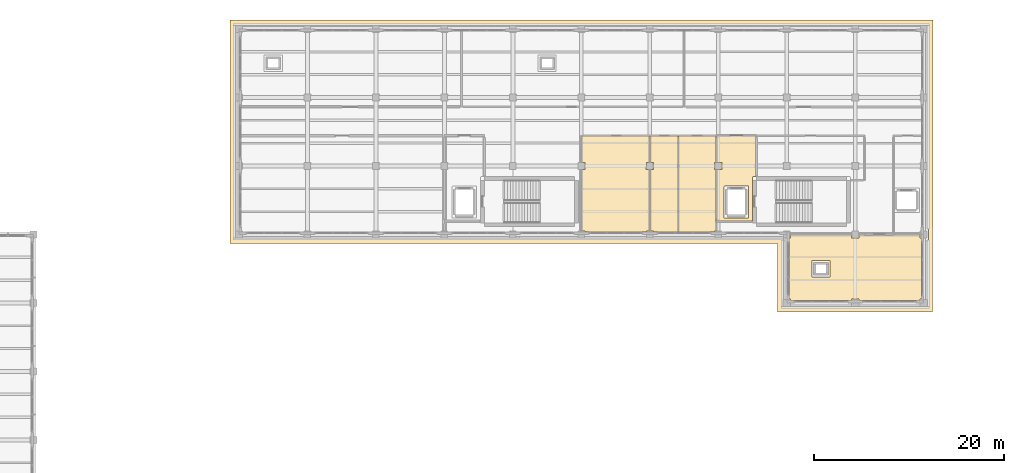
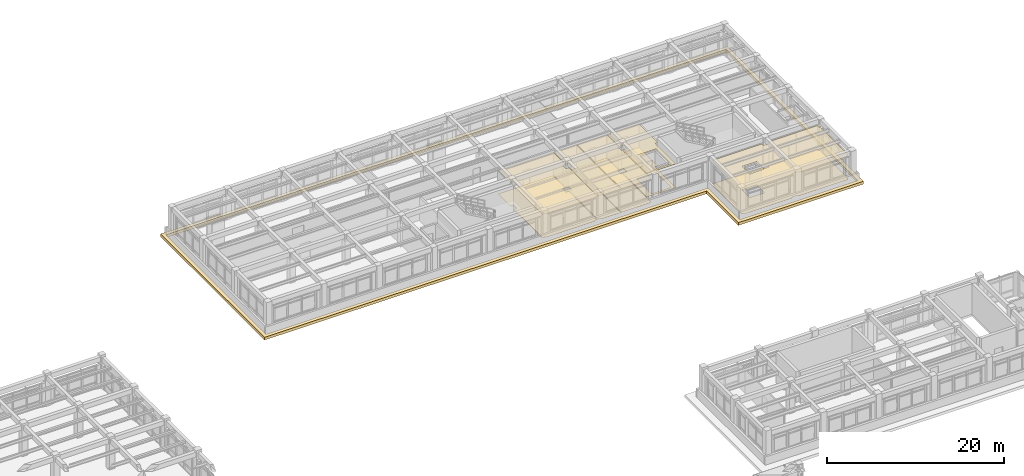
# One storey, part 62 of 64: 11 coverings.
"""IFC4 building model written with IfcOpenShell, lengths in metres."""

import ifcopenshell
import ifcopenshell.guid

model = None  # the IFC model being written
_history = None  # IfcOwnerHistory: only IFC2X3 demands one
_inside = {}  # id of a spatial element -> (the spatial element, [elements in it])
_under = {}  # id of a project, library or spatial element -> (it, [spatial elements below it])
_declared = {}  # id of a project -> (the project, [libraries it declares])
_typed = {}  # id of a type object -> (the type object, [elements of that type])
_made_of = {}  # id of a material, layer set ... -> (it, [elements and type objects made of it])


def new_model(schema):
    """Start an empty IFC model of exactly this schema.

    Asked for "IFC4X3", IfcOpenShell would pick the latest addendum, in which some entities
    have other attributes; the version numbers below select the first issue.
    IFC2X3 requires an IfcOwnerHistory on every rooted entity: one is made here for all.
    """
    global model, _history
    if schema == "IFC4X3":
        model = ifcopenshell.file(schema_version=(4, 3, 0, 0))
    else:
        model = ifcopenshell.file(schema=schema)
    _inside.clear()
    _under.clear()
    _declared.clear()
    _typed.clear()
    _made_of.clear()
    _history = None
    if model.schema == "IFC2X3":
        org = make("IfcOrganization", Name="unknown")
        user = make(
            "IfcPersonAndOrganization",
            ThePerson=make("IfcPerson", FamilyName="unknown"),
            TheOrganization=org,
        )
        app = make(
            "IfcApplication",
            ApplicationDeveloper=org,
            Version="unknown",
            ApplicationFullName="unknown",
            ApplicationIdentifier="unknown",
        )
        _history = make(
            "IfcOwnerHistory",
            OwningUser=user,
            OwningApplication=app,
            ChangeAction="ADDED",
            CreationDate=0,
        )
    return model


def make(cls, **values):
    """One entity of the class cls with the attributes given. An attribute that is None is left unset."""
    return model.create_entity(
        cls, **{name: value for name, value in values.items() if value is not None}
    )


def rooted(cls, **values):
    """An entity with a GlobalId (a new one), such as an element, a storey or a relation."""
    return make(cls, GlobalId=ifcopenshell.guid.new(), OwnerHistory=_history, **values)


def si_unit(unit_type, name, prefix=None):
    """IfcSIUnit, for example si_unit("LENGTHUNIT", "METRE", prefix="MILLI")."""
    return make("IfcSIUnit", UnitType=unit_type, Prefix=prefix, Name=name)


def assignment(units):
    """IfcUnitAssignment: the units of a project."""
    return None if units is None else make("IfcUnitAssignment", Units=units)


def point(xyz):
    """IfcCartesianPoint."""
    return None if xyz is None else make("IfcCartesianPoint", Coordinates=xyz)


def direction(xyz):
    """IfcDirection."""
    return None if xyz is None else make("IfcDirection", DirectionRatios=xyz)


def frame(location, z_axis=None, x_axis=None):
    """IfcAxis2Placement3D, a coordinate frame: its origin and axes. An axis left out is left unset."""
    return make(
        "IfcAxis2Placement3D",
        Location=point(location),
        Axis=direction(z_axis),
        RefDirection=direction(x_axis),
    )


def origin():
    """The frame at (0, 0, 0) with its axes left unset."""
    return frame((0.0, 0.0, 0.0))


def place(relative_to, where):
    """IfcLocalPlacement: puts the frame where relative to a parent placement (None: the world)."""
    return make(
        "IfcLocalPlacement", PlacementRelTo=relative_to, RelativePlacement=where
    )


def context(
    kind, dimensions, precision=None, world=None, true_north=None, identifier=None
):
    """IfcGeometricRepresentationContext, for example the 3D "Model" context."""
    return make(
        "IfcGeometricRepresentationContext",
        ContextIdentifier=identifier,
        ContextType=kind,
        CoordinateSpaceDimension=dimensions,
        Precision=precision,
        WorldCoordinateSystem=world,
        TrueNorth=true_north,
    )


def subcontext(parent, identifier, kind, view, scale=None):
    """IfcGeometricRepresentationSubContext, for example "Body" below "Model"."""
    return make(
        "IfcGeometricRepresentationSubContext",
        ContextIdentifier=identifier,
        ContextType=kind,
        ParentContext=parent,
        TargetScale=scale,
        TargetView=view,
    )


def project(units=None, contexts=None):
    """IfcProject with its units and contexts."""
    return rooted(
        "IfcProject",
        Name="project",
        RepresentationContexts=contexts,
        UnitsInContext=assignment(units),
    )


def spatial(cls, under=None, at=None, **own):
    """A site, building, storey or space (cls), placed at a placement, below another one or the project."""
    s = rooted(cls, ObjectPlacement=at, **own)
    if under is not None:
        _under.setdefault(under.id(), (under, []))[1].append(s)
    return s


def polyline(points):
    """IfcPolyline through the points."""
    return make("IfcPolyline", Points=[point(p) for p in points])


def outline(outer, holes=None, kind="AREA"):
    """IfcArbitraryClosedProfileDef: a profile drawn as a closed curve; with holes, ...WithVoids."""
    if holes is None:
        return make("IfcArbitraryClosedProfileDef", ProfileType=kind, OuterCurve=outer)
    return make(
        "IfcArbitraryProfileDefWithVoids",
        ProfileType=kind,
        OuterCurve=outer,
        InnerCurves=holes,
    )


def extrude(swept, where, along, depth):
    """IfcExtrudedAreaSolid: the profile swept, set in the frame where, extruded along a direction by depth."""
    return make(
        "IfcExtrudedAreaSolid",
        SweptArea=swept,
        Position=where,
        ExtrudedDirection=direction(along),
        Depth=depth,
    )


def shape(context_of_items, identifier, shape_type, items):
    """IfcShapeRepresentation: the items that make up one representation, for example the "Body"."""
    return make(
        "IfcShapeRepresentation",
        ContextOfItems=context_of_items,
        RepresentationIdentifier=identifier,
        RepresentationType=shape_type,
        Items=items,
    )


def material(Name=None, Category=None):
    """IfcMaterial."""
    return make("IfcMaterial", Name=Name, Category=Category)


def layer(
    of_material, thickness, ventilated=None, Name=None, Category=None, Priority=None
):
    """IfcMaterialLayer: one layer of a wall or slab, of a material (None: an air gap)."""
    return make(
        "IfcMaterialLayer",
        Material=of_material,
        LayerThickness=thickness,
        IsVentilated=ventilated,
        Name=Name,
        Category=Category,
        Priority=Priority,
    )


def layer_set(layers, Name=None):
    """IfcMaterialLayerSet."""
    return make("IfcMaterialLayerSet", MaterialLayers=layers, LayerSetName=Name)


def made_of(thing, what):
    """Note that an element or type object is made of a material, layer set ...; save() writes the relation."""
    if what is not None:
        _made_of.setdefault(what.id(), (what, []))[1].append(thing)
    return thing


def type_object(cls, material=None, **own):
    """A type object (cls), such as IfcWallType, which elements share."""
    return made_of(rooted(cls, **own), material)


def element(
    cls,
    number,
    at=None,
    inside=None,
    cuts=None,
    type_object=None,
    material=None,
    context=None,
    identifier="Body",
    shape_type=None,
    held_by="IfcProductDefinitionShape",
    body=None,
    shapes=None,
    **own,
):
    """One element of the class cls, such as IfcWall. Its Tag is "e" and its number.

    at: its placement. inside: the storey or other place that contains it. cuts: it is an
    opening in that element (IfcRelVoidsElement). A single representation is given by context,
    identifier, shape_type and body (its items); several are given by shapes. held_by: the class
    of the entity that holds the representations. save() writes the other relations.
    """
    e = rooted(cls, Tag="e%d" % number, ObjectPlacement=at, **own)
    if body is not None:
        shapes = [shape(context, identifier, shape_type, body)]
    if shapes is not None:
        e.Representation = make(held_by, Representations=shapes)
    if inside is not None:
        _inside.setdefault(inside.id(), (inside, []))[1].append(e)
    if cuts is not None:
        rooted(
            "IfcRelVoidsElement", RelatingBuildingElement=cuts, RelatedOpeningElement=e
        )
    if type_object is not None:
        _typed.setdefault(type_object.id(), (type_object, []))[1].append(e)
    return made_of(e, material)


def aggregate(whole, parts):
    """IfcRelAggregates: a whole, such as a stair, and the parts it consists of."""
    return rooted("IfcRelAggregates", RelatingObject=whole, RelatedObjects=parts)


def save(model, path):
    """Write the relations noted so far, then the file.

    IfcRelAggregates (storeys below a building ...), IfcRelContainedInSpatialStructure (elements
    in a storey), IfcRelDefinesByType, IfcRelAssociatesMaterial and IfcRelDeclares: one each for
    every whole, place, type object, material and project.
    """
    for whole, parts in _under.values():
        aggregate(whole, parts)
    for where, things in _inside.values():
        rooted(
            "IfcRelContainedInSpatialStructure",
            RelatedElements=things,
            RelatingStructure=where,
        )
    for kind, things in _typed.values():
        rooted("IfcRelDefinesByType", RelatedObjects=things, RelatingType=kind)
    for what, things in _made_of.values():
        rooted("IfcRelAssociatesMaterial", RelatedObjects=things, RelatingMaterial=what)
    for by, libraries in _declared.values():
        rooted("IfcRelDeclares", RelatingContext=by, RelatedDefinitions=libraries)
    model.write(path)


model = new_model("IFC4")

# Units and contexts
model_context = context("Model", 3, precision=1e-05, world=origin(), true_north=direction((0.0, 1.0)))
body_context = subcontext(model_context, "Body", "Model", "MODEL_VIEW")
ifc_project = project(units=[si_unit("LENGTHUNIT", "METRE"), si_unit("AREAUNIT", "SQUARE_METRE"), si_unit("VOLUMEUNIT", "CUBIC_METRE"), si_unit("PLANEANGLEUNIT", "RADIAN"), si_unit("MASSUNIT", "GRAM", prefix="KILO")], contexts=[model_context])

# Site, building, storey
site_placement = place(None, origin())
site = spatial("IfcSite", under=ifc_project, at=site_placement, CompositionType="ELEMENT")
building_placement = place(site_placement, origin())
building = spatial("IfcBuilding", under=site, at=building_placement, Name="Solenvale Faculty of Natural Sciences", CompositionType="ELEMENT")
storey_placement = place(building_placement, frame((0.0, 0.0, 18.0)))
storey = spatial("IfcBuildingStorey", under=building, at=storey_placement, Name="L04", CompositionType="ELEMENT", Elevation=18.0)

# Coverings
ifc_material_1 = material(Name="Acoustic mineral-timber ceiling", Category="wood")
ifc_layer_1 = layer(ifc_material_1, 0.02490234375)
ifc_layer_set_1 = layer_set([ifc_layer_1], Name="Acoustic mineral-timber ceiling")
covering_type_1 = type_object("IfcCoveringType", Name="COV-CEIL-AC25", PredefinedType="CEILING", material=ifc_layer_set_1)
covering_1_placement = place(storey_placement, frame((0.0, 0.0, 3.235107421875)))
element("IfcCovering", 1, at=covering_1_placement, inside=storey, type_object=covering_type_1, Name="L04 Firefighting Lobby C5 Acoustic Ceiling", PredefinedType="CEILING", context=body_context, shape_type="SweptSolid", body=[
    extrude(outline(polyline([(133.580078125, 99.7099609375), (133.555908203125, 99.680908203125), (133.248046875, 99.679931640625), (133.219970703125, 99.652099609375), (133.212890625, 95.031005859375), (133.18994140625, 95.02001953125), (129.430908203125, 95.027099609375), (129.419921875, 95.050048828125), (129.419921875, 100.39794921875), (129.447021484375, 100.425048828125), (129.972900390625, 100.428955078125), (129.97509765625, 101.1640625), (129.964111328125, 101.175048828125), (129.447021484375, 101.175048828125), (129.4208984375, 101.198974609375), (129.419921875, 103.949951171875), (129.428955078125, 103.970947265625), (129.449951171875, 103.97998046875), (133.550048828125, 103.97998046875), (133.571044921875, 103.970947265625), (133.580078125, 103.949951171875), (133.580078125, 99.7099609375)]), holes=[polyline([(132.780029296875, 98.652099609375), (132.77001953125, 98.672119140625), (132.75, 98.679931640625), (130.25, 98.679931640625), (130.22607421875, 98.66796875), (130.219970703125, 95.35009765625), (130.23193359375, 95.325927734375), (132.75, 95.320068359375), (132.77392578125, 95.33203125), (132.780029296875, 98.652099609375)])]), origin(), (0.0, 0.0, 1.0), 0.02490234375),
])
covering_2_placement = place(storey_placement, frame((0.0, 0.0, 3.235107421875)))
element("IfcCovering", 2, at=covering_2_placement, inside=storey, type_object=covering_type_1, Name="L04 Seminar Room Acoustic Ceiling", PredefinedType="CEILING", context=body_context, shape_type="SweptSolid", body=[
    extrude(outline(polyline([(144.950927734375, 93.580078125), (145.0, 93.56005859375), (148.0, 93.56005859375), (148.049072265625, 93.580078125), (150.794921875, 93.580078125), (150.818115234375, 93.569091796875), (150.825927734375, 93.23095703125), (150.93896484375, 93.22412109375), (150.9599609375, 93.195068359375), (150.9599609375, 86.830078125), (150.93603515625, 86.801025390625), (150.802978515625, 86.797119140625), (150.800048828125, 86.6669921875), (150.7890625, 86.64697265625), (144.429931640625, 86.639892578125), (144.40087890625, 86.6640625), (144.39208984375, 86.800048828125), (143.611083984375, 86.800048828125), (143.60009765625, 86.791015625), (143.59912109375, 86.660888671875), (143.570068359375, 86.639892578125), (137.22998046875, 86.639892578125), (137.200927734375, 86.6640625), (137.197021484375, 86.797119140625), (137.06689453125, 86.800048828125), (137.047119140625, 86.81103515625), (137.0400390625, 93.195068359375), (137.06103515625, 93.22412109375), (137.174072265625, 93.23095703125), (137.175048828125, 93.550048828125), (137.18603515625, 93.572998046875), (143.594970703125, 93.580078125), (143.625, 93.552978515625), (143.631103515625, 93.22607421875), (144.364013671875, 93.22509765625), (144.375, 93.236083984375), (144.375, 93.552978515625), (144.387939453125, 93.574951171875), (144.950927734375, 93.580078125)]), holes=[polyline([(141.360107421875, 90.83203125), (141.35009765625, 90.85205078125), (141.330078125, 90.860107421875), (139.449951171875, 90.85205078125), (139.43994140625, 90.830078125), (139.447998046875, 89.14990234375), (139.469970703125, 89.139892578125), (141.35009765625, 89.14794921875), (141.360107421875, 89.169921875), (141.360107421875, 90.83203125)])]), origin(), (0.0, 0.0, 1.0), 0.02490234375),
])
covering_3_placement = place(storey_placement, frame((0.0, 0.0, 3.235107421875)))
element("IfcCovering", 3, at=covering_3_placement, inside=storey, type_object=covering_type_1, Name="L04 Public Washroom Acoustic Ceiling", PredefinedType="CEILING", context=body_context, shape_type="SweptSolid", body=[
    extrude(outline(polyline([(122.35009765625, 103.9599609375), (122.37109375, 103.950927734375), (122.3798828125, 103.929931640625), (122.3798828125, 101.201904296875), (122.35302734375, 101.175048828125), (122.02587890625, 101.1689453125), (122.02490234375, 100.43603515625), (122.035888671875, 100.425048828125), (122.35302734375, 100.425048828125), (122.3798828125, 100.39794921875), (122.375, 93.988037109375), (122.35009765625, 93.97509765625), (122.031005859375, 93.97412109375), (122.02392578125, 93.861083984375), (121.9951171875, 93.840087890625), (115.60498046875, 93.840087890625), (115.575927734375, 93.861083984375), (115.569091796875, 93.97412109375), (115.23291015625, 93.97998046875), (115.219970703125, 94.0048828125), (115.219970703125, 100.39501953125), (115.2470703125, 100.425048828125), (115.573974609375, 100.430908203125), (115.574951171875, 101.1640625), (115.56396484375, 101.175048828125), (115.2470703125, 101.175048828125), (115.219970703125, 101.201904296875), (115.22509765625, 103.947021484375), (115.25, 103.9599609375), (122.35009765625, 103.9599609375)])), origin(), (0.0, 0.0, 1.0), 0.02490234375),
])
covering_4_placement = place(storey_placement, frame((0.0, 0.0, 3.235107421875)))
element("IfcCovering", 4, at=covering_4_placement, inside=storey, type_object=covering_type_1, Name="L04 Accessible Washroom Acoustic Ceiling", PredefinedType="CEILING", context=body_context, shape_type="SweptSolid", body=[
    extrude(outline(polyline([(125.35009765625, 103.9599609375), (125.37109375, 103.950927734375), (125.3798828125, 103.929931640625), (125.37890625, 93.861083984375), (125.35009765625, 93.840087890625), (122.7958984375, 93.841064453125), (122.77587890625, 93.864013671875), (122.76904296875, 93.97412109375), (122.467041015625, 93.97509765625), (122.43994140625, 94.0048828125), (122.43994140625, 100.39794921875), (122.467041015625, 100.425048828125), (122.763916015625, 100.425048828125), (122.77490234375, 100.43603515625), (122.77392578125, 101.1689453125), (122.467041015625, 101.175048828125), (122.43994140625, 101.201904296875), (122.44091796875, 103.93896484375), (122.469970703125, 103.9599609375), (125.35009765625, 103.9599609375)])), origin(), (0.0, 0.0, 1.0), 0.02490234375),
])
covering_5_placement = place(storey_placement, frame((0.0, 0.0, 3.235107421875)))
element("IfcCovering", 5, at=covering_5_placement, inside=storey, type_object=covering_type_1, Name="L04 Instrument Preparation Room Acoustic Ceiling", PredefinedType="CEILING", context=body_context, shape_type="SweptSolid", body=[
    extrude(outline(polyline([(129.330078125, 103.9599609375), (129.35107421875, 103.950927734375), (129.360107421875, 103.929931640625), (129.360107421875, 101.205078125), (129.339111328125, 101.176025390625), (129.22509765625, 101.1669921875), (129.22509765625, 100.43603515625), (129.23388671875, 100.425048828125), (129.339111328125, 100.424072265625), (129.360107421875, 100.39501953125), (129.360107421875, 95.0), (129.3798828125, 94.950927734375), (129.3779296875, 93.993896484375), (129.35302734375, 93.97509765625), (129.22900390625, 93.972900390625), (129.22412109375, 93.861083984375), (129.195068359375, 93.840087890625), (125.458984375, 93.842041015625), (125.43994140625, 93.8701171875), (125.44189453125, 103.94091796875), (125.469970703125, 103.9599609375), (129.330078125, 103.9599609375)])), origin(), (0.0, 0.0, 1.0), 0.02490234375),
])
ifc_material_2 = material(Name="Polished slate terrazzo flooring", Category="masonry")
ifc_layer_2 = layer(ifc_material_2, 0.01806640625)
ifc_layer_set_2 = layer_set([ifc_layer_2], Name="Polished slate terrazzo flooring")
covering_type_2 = type_object("IfcCoveringType", Name="COV-FLR-TRZ18", PredefinedType="FLOORING", material=ifc_layer_set_2)
covering_6_placement = place(storey_placement, origin())
element("IfcCovering", 6, at=covering_6_placement, inside=storey, type_object=covering_type_2, Name="L04 Firefighting Lobby C5 Floor Finish", PredefinedType="FLOORING", context=body_context, shape_type="SweptSolid", body=[
    extrude(outline(polyline([(133.580078125, 99.7099609375), (133.555908203125, 99.680908203125), (133.248046875, 99.679931640625), (133.219970703125, 99.652099609375), (133.212890625, 95.031005859375), (133.18994140625, 95.02001953125), (129.430908203125, 95.027099609375), (129.419921875, 95.050048828125), (129.419921875, 100.39794921875), (129.447021484375, 100.425048828125), (129.972900390625, 100.428955078125), (129.97509765625, 101.1640625), (129.964111328125, 101.175048828125), (129.447021484375, 101.175048828125), (129.4208984375, 101.198974609375), (129.419921875, 103.949951171875), (129.428955078125, 103.970947265625), (129.449951171875, 103.97998046875), (133.550048828125, 103.97998046875), (133.571044921875, 103.970947265625), (133.580078125, 103.949951171875), (133.580078125, 99.7099609375)]), holes=[polyline([(132.780029296875, 98.652099609375), (132.77001953125, 98.672119140625), (132.75, 98.679931640625), (130.25, 98.679931640625), (130.22607421875, 98.66796875), (130.219970703125, 95.35009765625), (130.23193359375, 95.325927734375), (132.75, 95.320068359375), (132.77392578125, 95.33203125), (132.780029296875, 98.652099609375)])]), origin(), (0.0, 0.0, 1.0), 0.01806640625),
])
covering_7_placement = place(storey_placement, origin())
element("IfcCovering", 7, at=covering_7_placement, inside=storey, type_object=covering_type_2, Name="L04 Seminar Room Floor Finish", PredefinedType="FLOORING", context=body_context, shape_type="SweptSolid", body=[
    extrude(outline(polyline([(144.950927734375, 93.580078125), (145.0, 93.56005859375), (148.0, 93.56005859375), (148.049072265625, 93.580078125), (150.794921875, 93.580078125), (150.818115234375, 93.569091796875), (150.825927734375, 93.23095703125), (150.93896484375, 93.22412109375), (150.9599609375, 93.195068359375), (150.9599609375, 86.830078125), (150.93603515625, 86.801025390625), (150.802978515625, 86.797119140625), (150.800048828125, 86.6669921875), (150.7890625, 86.64697265625), (144.429931640625, 86.639892578125), (144.40087890625, 86.6640625), (144.39208984375, 86.800048828125), (143.611083984375, 86.800048828125), (143.60009765625, 86.791015625), (143.59912109375, 86.660888671875), (143.570068359375, 86.639892578125), (137.22998046875, 86.639892578125), (137.200927734375, 86.6640625), (137.197021484375, 86.797119140625), (137.06689453125, 86.800048828125), (137.047119140625, 86.81103515625), (137.0400390625, 93.195068359375), (137.06103515625, 93.22412109375), (137.174072265625, 93.23095703125), (137.175048828125, 93.550048828125), (137.18603515625, 93.572998046875), (143.594970703125, 93.580078125), (143.625, 93.552978515625), (143.631103515625, 93.22607421875), (144.364013671875, 93.22509765625), (144.375, 93.236083984375), (144.375, 93.552978515625), (144.387939453125, 93.574951171875), (144.950927734375, 93.580078125)]), holes=[polyline([(141.360107421875, 90.83203125), (141.35009765625, 90.85205078125), (141.330078125, 90.860107421875), (139.449951171875, 90.85205078125), (139.43994140625, 90.830078125), (139.447998046875, 89.14990234375), (139.469970703125, 89.139892578125), (141.35009765625, 89.14794921875), (141.360107421875, 89.169921875), (141.360107421875, 90.83203125)])]), origin(), (0.0, 0.0, 1.0), 0.01806640625),
])
covering_8_placement = place(storey_placement, origin())
element("IfcCovering", 8, at=covering_8_placement, inside=storey, type_object=covering_type_2, Name="L04 Public Washroom Floor Finish", PredefinedType="FLOORING", context=body_context, shape_type="SweptSolid", body=[
    extrude(outline(polyline([(122.35009765625, 103.9599609375), (122.37109375, 103.950927734375), (122.3798828125, 103.929931640625), (122.3798828125, 101.201904296875), (122.35302734375, 101.175048828125), (122.02587890625, 101.1689453125), (122.02490234375, 100.43603515625), (122.035888671875, 100.425048828125), (122.35302734375, 100.425048828125), (122.3798828125, 100.39794921875), (122.375, 93.988037109375), (122.35009765625, 93.97509765625), (122.031005859375, 93.97412109375), (122.02392578125, 93.861083984375), (121.9951171875, 93.840087890625), (115.60498046875, 93.840087890625), (115.575927734375, 93.861083984375), (115.569091796875, 93.97412109375), (115.23291015625, 93.97998046875), (115.219970703125, 94.0048828125), (115.219970703125, 100.39501953125), (115.2470703125, 100.425048828125), (115.573974609375, 100.430908203125), (115.574951171875, 101.1640625), (115.56396484375, 101.175048828125), (115.2470703125, 101.175048828125), (115.219970703125, 101.201904296875), (115.22509765625, 103.947021484375), (115.25, 103.9599609375), (122.35009765625, 103.9599609375)])), origin(), (0.0, 0.0, 1.0), 0.01806640625),
])
covering_9_placement = place(storey_placement, origin())
element("IfcCovering", 9, at=covering_9_placement, inside=storey, type_object=covering_type_2, Name="L04 Accessible Washroom Floor Finish", PredefinedType="FLOORING", context=body_context, shape_type="SweptSolid", body=[
    extrude(outline(polyline([(125.35009765625, 103.9599609375), (125.37109375, 103.950927734375), (125.3798828125, 103.929931640625), (125.37890625, 93.861083984375), (125.35009765625, 93.840087890625), (122.7958984375, 93.841064453125), (122.77587890625, 93.864013671875), (122.76904296875, 93.97412109375), (122.467041015625, 93.97509765625), (122.43994140625, 94.0048828125), (122.43994140625, 100.39794921875), (122.467041015625, 100.425048828125), (122.763916015625, 100.425048828125), (122.77490234375, 100.43603515625), (122.77392578125, 101.1689453125), (122.467041015625, 101.175048828125), (122.43994140625, 101.201904296875), (122.44091796875, 103.93896484375), (122.469970703125, 103.9599609375), (125.35009765625, 103.9599609375)])), origin(), (0.0, 0.0, 1.0), 0.01806640625),
])
covering_10_placement = place(storey_placement, origin())
element("IfcCovering", 10, at=covering_10_placement, inside=storey, type_object=covering_type_2, Name="L04 Instrument Preparation Room Floor Finish", PredefinedType="FLOORING", context=body_context, shape_type="SweptSolid", body=[
    extrude(outline(polyline([(129.330078125, 103.9599609375), (129.35107421875, 103.950927734375), (129.360107421875, 103.929931640625), (129.360107421875, 101.205078125), (129.339111328125, 101.176025390625), (129.22509765625, 101.1669921875), (129.22509765625, 100.43603515625), (129.23388671875, 100.425048828125), (129.339111328125, 100.424072265625), (129.360107421875, 100.39501953125), (129.360107421875, 95.0), (129.3798828125, 94.950927734375), (129.3779296875, 93.993896484375), (129.35302734375, 93.97509765625), (129.22900390625, 93.972900390625), (129.22412109375, 93.861083984375), (129.195068359375, 93.840087890625), (125.458984375, 93.842041015625), (125.43994140625, 93.8701171875), (125.44189453125, 103.94091796875), (125.469970703125, 103.9599609375), (129.330078125, 103.9599609375)])), origin(), (0.0, 0.0, 1.0), 0.01806640625),
])
ifc_material_3 = material(Name="Insulated EPDM roofing membrane")
ifc_layer_3 = layer(ifc_material_3, 0.06494140625)
ifc_layer_set_3 = layer_set([ifc_layer_3], Name="Insulated EPDM roofing membrane")
covering_type_3 = type_object("IfcCoveringType", Name="COV-ROOF-MEMB", PredefinedType="ROOFING", material=ifc_layer_set_3)
covering_11_placement = place(storey_placement, frame((0.0, 0.0, -0.340087890625)))
element("IfcCovering", 11, at=covering_11_placement, inside=storey, type_object=covering_type_3, Name="L04 Projecting Horizontal Bronze Concrete Tray Ledge 3", PredefinedType="CLADDING", context=body_context, shape_type="SweptSolid", body=[
    extrude(outline(polyline([(78.25, 116.1298828125), (78.256103515625, 116.14404296875), (78.27001953125, 116.14990234375), (152.137939453125, 116.14794921875), (152.14990234375, 116.1298828125), (152.14794921875, 85.4619140625), (152.1298828125, 85.449951171875), (135.862060546875, 85.451904296875), (135.85009765625, 85.469970703125), (135.85009765625, 92.64990234375), (78.261962890625, 92.652099609375), (78.25, 92.669921875), (78.25, 116.1298828125)]), holes=[polyline([(78.719970703125, 93.1201171875), (136.302001953125, 93.1201171875), (136.31396484375, 93.114013671875), (136.320068359375, 93.10009765625), (136.320068359375, 85.919921875), (151.679931640625, 85.919921875), (151.679931640625, 115.679931640625), (78.719970703125, 115.679931640625), (78.719970703125, 93.1201171875)])]), origin(), (0.0, 0.0, 1.0), 0.380126953125),
])

save(model, "model.ifc")
